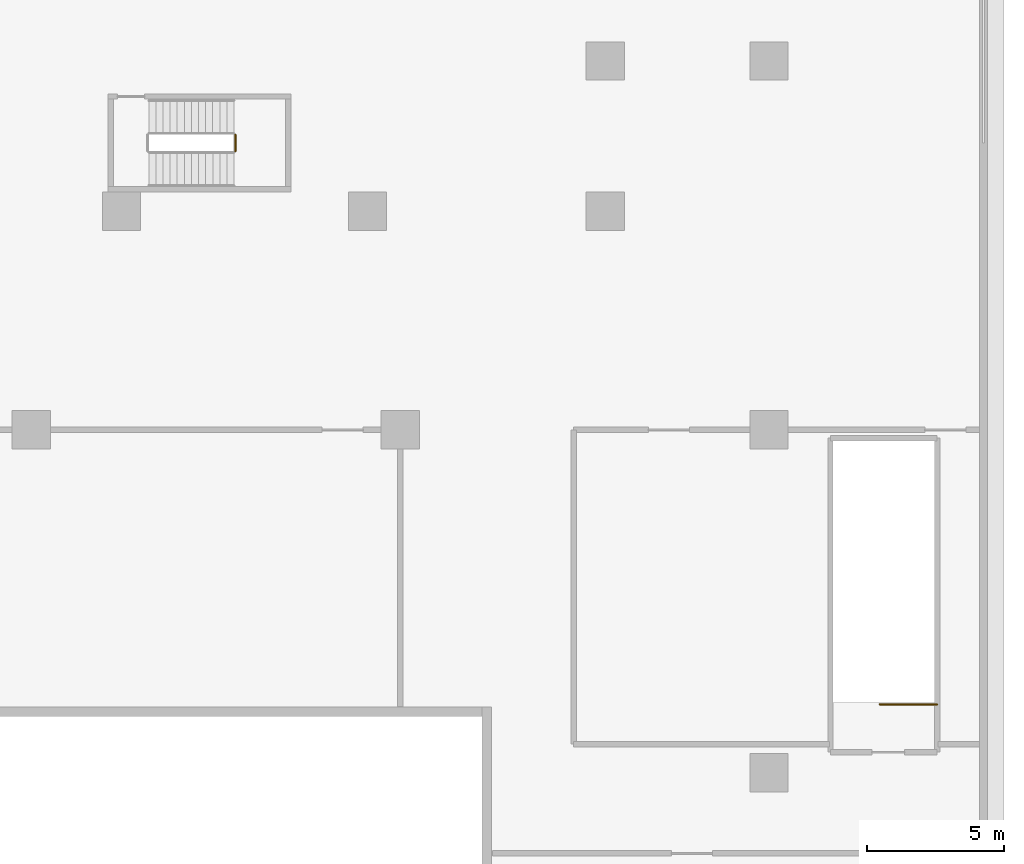
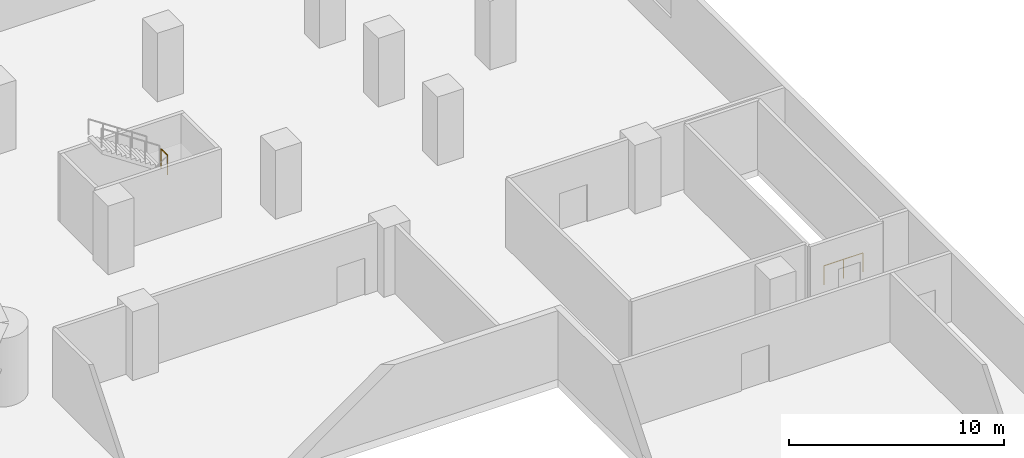
# One storey, part 15 of 16: 2 railings.
"""IFC4 building model written with IfcOpenShell, lengths in metres."""

from ifc_helpers import new_model, si_unit, direction, frame, origin, origin_2d, place, context, subcontext, project, spatial, circle, extrude, material, type_object, element, save


model = new_model("IFC4")

# Units and contexts
model_context = context("Model", 3, precision=1e-05, world=origin(), true_north=direction((0.0, 1.0)))
body_context = subcontext(model_context, "Body", "Model", "MODEL_VIEW")
ifc_project = project(units=[si_unit("LENGTHUNIT", "METRE"), si_unit("AREAUNIT", "SQUARE_METRE"), si_unit("VOLUMEUNIT", "CUBIC_METRE"), si_unit("PLANEANGLEUNIT", "RADIAN"), si_unit("MASSUNIT", "GRAM", prefix="KILO")], contexts=[model_context])

# Site, building, storey
site_placement = place(None, origin())
site = spatial("IfcSite", under=ifc_project, at=site_placement, CompositionType="ELEMENT")
building_placement = place(site_placement, origin())
building = spatial("IfcBuilding", under=site, at=building_placement, Name="Tamarind Cross Interchange Tower", CompositionType="ELEMENT")
storey_placement = place(building_placement, frame((0.0, 0.0, 25.0)))
storey = spatial("IfcBuildingStorey", under=building, at=storey_placement, Name="L04", CompositionType="ELEMENT", Elevation=25.0)

# Railings
ifc_material_1 = material(Name="Public stair guard")
railing_type_1 = type_object("IfcRailingType", Name="Public stair guard", PredefinedType="GUARDRAIL", material=ifc_material_1)
railing_1_placement = place(storey_placement, frame((60.14990234375, -23.550048828125, 0.0)))
element("IfcRailing", 1, at=railing_1_placement, inside=storey, type_object=railing_type_1, Name="L04 XS-P11 top well guard 1", PredefinedType="GUARDRAIL", context=body_context, shape_type="SweptSolid", body=[
    extrude(circle(Radius=0.02392578125, at=origin_2d()), frame((0.0, 0.0, 1.076171875), z_axis=(-1.0, 0.0, 0.0), x_axis=(0.0, -1.0, 0.0)), (0.0, 0.0, 1.0), 2.099853515625),
    extrude(circle(Radius=0.02099609375, at=origin_2d()), origin(), (0.0, 0.0, 1.0), 1.052001953125),
    extrude(circle(Radius=0.02099609375, at=origin_2d()), frame((-1.0498046875, 0.0, 0.0)), (0.0, 0.0, 1.0), 1.052001953125),
    extrude(circle(Radius=0.02099609375, at=origin_2d()), frame((-2.099853515625, 0.0, 0.0)), (0.0, 0.0, 1.0), 1.052001953125),
])
ifc_material_2 = material(Name="Stair guard")
railing_type_2 = type_object("IfcRailingType", Name="Stair guard", PredefinedType="GUARDRAIL", material=ifc_material_2)
railing_2_placement = place(storey_placement, frame((34.469970703125, -3.300048828125, 2.25)))
element("IfcRailing", 2, at=railing_2_placement, inside=storey, type_object=railing_type_2, Name="L04 ST3 stair guard 2", PredefinedType="GUARDRAIL", context=body_context, shape_type="SweptSolid", body=[
    extrude(circle(Radius=0.02392578125, at=origin_2d()), frame((0.0, 0.0, 1.076171875), z_axis=(0.0, 1.0, 0.0), x_axis=(-1.0, 0.0, 0.0)), (0.0, 0.0, 1.0), 0.60009765625),
    extrude(circle(Radius=0.02099609375, at=origin_2d()), origin(), (0.0, 0.0, 1.0), 1.052001953125),
    extrude(circle(Radius=0.02099609375, at=origin_2d()), frame((0.0, 0.60009765625, 0.0)), (0.0, 0.0, 1.0), 1.052001953125),
])

save(model, "model.ifc")
